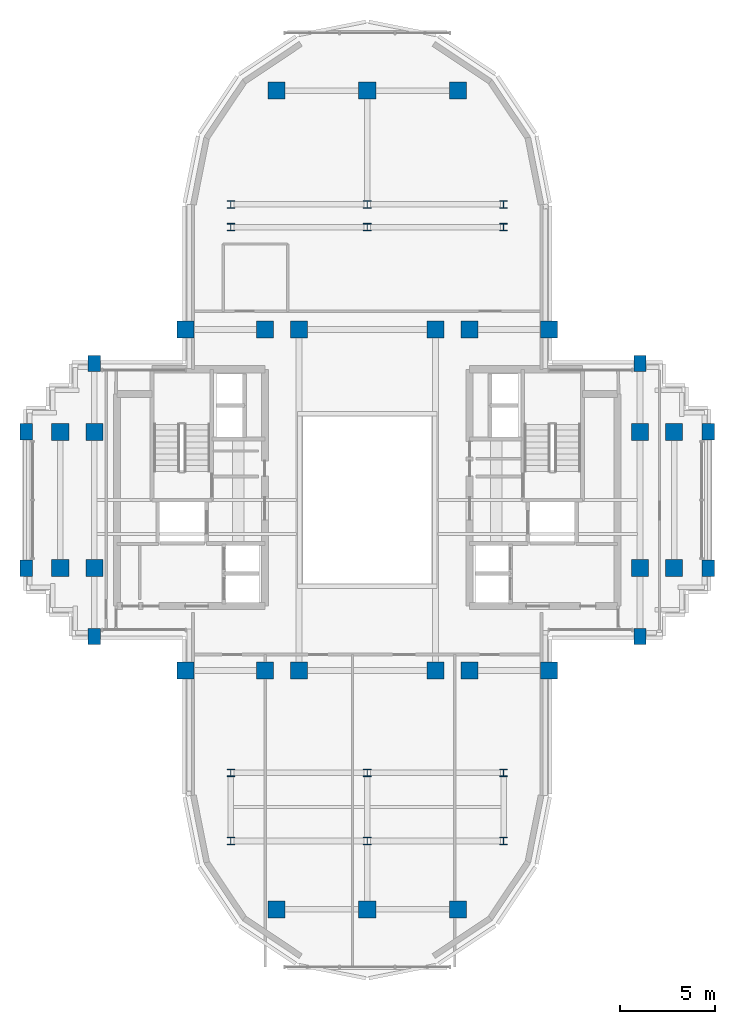
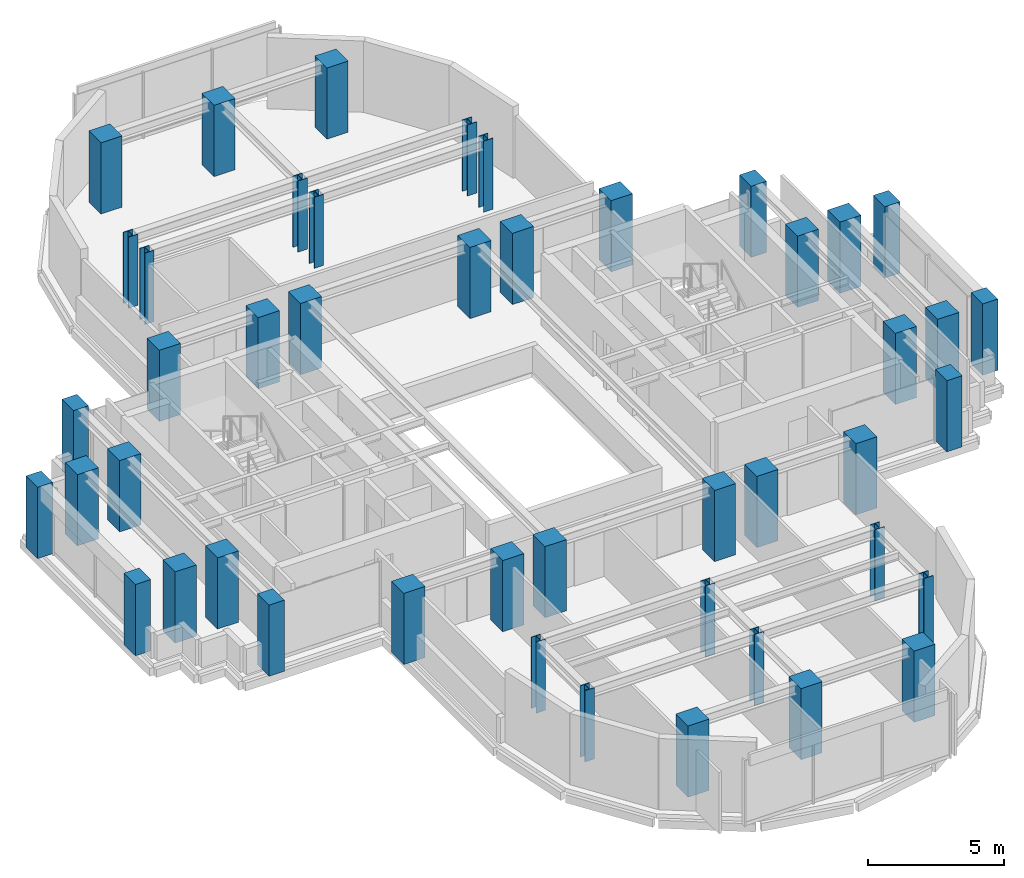
# One storey, part 1 of 11: 46 columns.
"""IFC4 building model written with IfcOpenShell, lengths in metres."""

from ifc_helpers import new_model, si_unit, direction, frame, origin, origin_2d, place, context, subcontext, project, spatial, rectangle, i_section, extrude, source, transform, mapped, material, material_profile, profile_set, type_object, element, save


model = new_model("IFC4")

# Units and contexts
model_context = context("Model", 3, precision=1e-05, world=origin(), true_north=direction((0.0, 1.0)))
body_context = subcontext(model_context, "Body", "Model", "MODEL_VIEW")
ifc_project = project(units=[si_unit("LENGTHUNIT", "METRE"), si_unit("AREAUNIT", "SQUARE_METRE"), si_unit("VOLUMEUNIT", "CUBIC_METRE"), si_unit("PLANEANGLEUNIT", "RADIAN"), si_unit("MASSUNIT", "GRAM", prefix="KILO")], contexts=[model_context])

# Site, building, storey
site_placement = place(None, origin())
site = spatial("IfcSite", under=ifc_project, at=site_placement, CompositionType="ELEMENT")
building_placement = place(site_placement, origin())
building = spatial("IfcBuilding", under=site, at=building_placement, Name="Keilestroom Media Tower", CompositionType="ELEMENT")
storey_placement = place(building_placement, frame((0.0, 0.0, 167.199951171875)))
storey = spatial("IfcBuildingStorey", under=building, at=storey_placement, Name="L45", CompositionType="ELEMENT", Elevation=167.199951171875)

# Columns
ifc_material_1 = material(Name="Precast concrete C40/50", Category="concrete")
ifc_material_profile_1 = material_profile(ifc_material_1, rectangle(XDim=0.64990234375, YDim=0.85009765625, at=origin_2d()), Name="PC 850x650")
ifc_profile_set_1 = profile_set([ifc_material_profile_1], Name="Precast concrete C40/50")
column_type_1 = type_object("IfcColumnType", Name="Structural-Column-PC-850x650", PredefinedType="COLUMN", material=ifc_profile_set_1)
shared_shape_1 = source(origin(), body_context, "Body", "SweptSolid", [
    extrude(rectangle(XDim=0.64990234375, YDim=0.85009765625, at=origin_2d()), origin(), (0.0, 0.0, 1.0), 3.199951171875),
])
for number, where, z_axis, x_axis, name in (
    (1, (-18.0, -3.60009765625, 0.0), (0.0, 0.0, 1.0), (1.0, 0.0, 0.0), "L45 Column PC-2 (-18.0,-3.6)"),
    (2, (-18.0, 3.60009765625, 0.0), (0.0, 0.0, 1.0), (1.0, 0.0, 0.0), "L45 Column PC-2 (-18.0,+3.6)"),
    (3, (-14.39990234375, -7.199951171875, 0.0), (0.0, 0.0, 1.0), (1.0, 0.0, 0.0), "L45 Column PC-2 (-14.4,-7.2)"),
    (4, (-14.39990234375, 7.199951171875, 0.0), (0.0, 0.0, 1.0), (1.0, 0.0, 0.0), "L45 Column PC-2 (-14.4,+7.2)"),
    (5, (14.39990234375, -7.199951171875, 0.0), (0.0, 0.0, 1.0), (1.0, 0.0, 0.0), "L45 Column PC-2 (+14.4,-7.2)"),
    (6, (14.39990234375, 7.199951171875, 0.0), (0.0, 0.0, 1.0), (1.0, 0.0, 0.0), "L45 Column PC-2 (+14.4,+7.2)"),
    (7, (18.0, -3.60009765625, 0.0), (0.0, 0.0, 1.0), (1.0, 0.0, 0.0), "L45 Column PC-2 (+18.0,-3.6)"),
    (8, (18.0, 3.60009765625, 0.0), (0.0, 0.0, 1.0), (1.0, 0.0, 0.0), "L45 Column PC-2 (+18.0,+3.6)"),
):
    element("IfcColumn", number, at=place(storey_placement, frame(where, z_axis=z_axis, x_axis=x_axis)), inside=storey, type_object=column_type_1, Name=name, PredefinedType="COLUMN", context=body_context, shape_type="MappedRepresentation", body=[
        mapped(shared_shape_1, transform((0.0, 0.0, 0.0), x_axis=(1.0, 0.0, 0.0), y_axis=(0.0, 1.0, 0.0), z_axis=(0.0, 0.0, 1.0), scale=1.0)),
    ])
ifc_material_2 = material(Name="Concrete C55/67", Category="concrete")
ifc_material_profile_2 = material_profile(ifc_material_2, rectangle(XDim=0.89990234375, YDim=0.89990234375, at=origin_2d()), Name="RC 900x900")
ifc_profile_set_2 = profile_set([ifc_material_profile_2], Name="Concrete C55/67")
column_type_2 = type_object("IfcColumnType", Name="Structural-Column-RC-900x900", PredefinedType="COLUMN", material=ifc_profile_set_2)
shared_shape_2 = source(origin(), body_context, "Body", "SweptSolid", [
    extrude(rectangle(XDim=0.89990234375, YDim=0.89990234375, at=origin_2d()), origin(), (0.0, 0.0, 1.0), 3.199951171875),
])
for number, where, z_axis, x_axis, name in (
    (9, (-16.199951171875, -3.60009765625, 0.0), (0.0, 0.0, 1.0), (1.0, 0.0, 0.0), "L45 Column MC-4 (-16.2,-3.6)"),
    (10, (-16.199951171875, 3.60009765625, 0.0), (0.0, 0.0, 1.0), (1.0, 0.0, 0.0), "L45 Column MC-4 (-16.2,+3.6)"),
    (11, (-14.39990234375, -3.60009765625, 0.0), (0.0, 0.0, 1.0), (1.0, 0.0, 0.0), "L45 Column MC-4 (-14.4,-3.6)"),
    (12, (-14.39990234375, 3.60009765625, 0.0), (0.0, 0.0, 1.0), (1.0, 0.0, 0.0), "L45 Column MC-4 (-14.4,+3.6)"),
    (13, (-9.60009765625, -9.0, 0.0), (0.0, 0.0, 1.0), (1.0, 0.0, 0.0), "L45 Column MC-4 (-9.6,-9.0)"),
    (14, (-9.60009765625, 9.0, 0.0), (0.0, 0.0, 1.0), (1.0, 0.0, 0.0), "L45 Column MC-4 (-9.6,+9.0)"),
    (15, (-5.39990234375, -9.0, 0.0), (0.0, 0.0, 1.0), (1.0, 0.0, 0.0), "L45 Column MC-4 (-5.4,-9.0)"),
    (16, (-5.39990234375, 9.0, 0.0), (0.0, 0.0, 1.0), (1.0, 0.0, 0.0), "L45 Column MC-4 (-5.4,+9.0)"),
    (17, (-4.800048828125, -21.60009765625, 0.0), (0.0, 0.0, 1.0), (1.0, 0.0, 0.0), "L45 Column MC-4 (-4.8,-21.6)"),
    (18, (-4.800048828125, 21.60009765625, 0.0), (0.0, 0.0, 1.0), (1.0, 0.0, 0.0), "L45 Column MC-4 (-4.8,+21.6)"),
    (19, (-3.60009765625, -9.0, 0.0), (0.0, 0.0, 1.0), (1.0, 0.0, 0.0), "L45 Column MC-4 (-3.6,-9.0)"),
    (20, (-3.60009765625, 9.0, 0.0), (0.0, 0.0, 1.0), (1.0, 0.0, 0.0), "L45 Column MC-4 (-3.6,+9.0)"),
    (21, (0.0, -21.60009765625, 0.0), (0.0, 0.0, 1.0), (1.0, 0.0, 0.0), "L45 Column MC-4 (+0.0,-21.6)"),
    (22, (0.0, 21.60009765625, 0.0), (0.0, 0.0, 1.0), (1.0, 0.0, 0.0), "L45 Column MC-4 (+0.0,+21.6)"),
    (23, (3.60009765625, -9.0, 0.0), (0.0, 0.0, 1.0), (1.0, 0.0, 0.0), "L45 Column MC-4 (+3.6,-9.0)"),
    (24, (3.60009765625, 9.0, 0.0), (0.0, 0.0, 1.0), (1.0, 0.0, 0.0), "L45 Column MC-4 (+3.6,+9.0)"),
    (25, (4.800048828125, -21.60009765625, 0.0), (0.0, 0.0, 1.0), (1.0, 0.0, 0.0), "L45 Column MC-4 (+4.8,-21.6)"),
    (26, (4.800048828125, 21.60009765625, 0.0), (0.0, 0.0, 1.0), (1.0, 0.0, 0.0), "L45 Column MC-4 (+4.8,+21.6)"),
    (27, (5.39990234375, -9.0, 0.0), (0.0, 0.0, 1.0), (1.0, 0.0, 0.0), "L45 Column MC-4 (+5.4,-9.0)"),
    (28, (5.39990234375, 9.0, 0.0), (0.0, 0.0, 1.0), (1.0, 0.0, 0.0), "L45 Column MC-4 (+5.4,+9.0)"),
    (29, (9.60009765625, -9.0, 0.0), (0.0, 0.0, 1.0), (1.0, 0.0, 0.0), "L45 Column MC-4 (+9.6,-9.0)"),
    (30, (9.60009765625, 9.0, 0.0), (0.0, 0.0, 1.0), (1.0, 0.0, 0.0), "L45 Column MC-4 (+9.6,+9.0)"),
    (31, (14.39990234375, -3.60009765625, 0.0), (0.0, 0.0, 1.0), (1.0, 0.0, 0.0), "L45 Column MC-4 (+14.4,-3.6)"),
    (32, (14.39990234375, 3.60009765625, 0.0), (0.0, 0.0, 1.0), (1.0, 0.0, 0.0), "L45 Column MC-4 (+14.4,+3.6)"),
    (33, (16.199951171875, -3.60009765625, 0.0), (0.0, 0.0, 1.0), (1.0, 0.0, 0.0), "L45 Column MC-4 (+16.2,-3.6)"),
    (34, (16.199951171875, 3.60009765625, 0.0), (0.0, 0.0, 1.0), (1.0, 0.0, 0.0), "L45 Column MC-4 (+16.2,+3.6)"),
):
    element("IfcColumn", number, at=place(storey_placement, frame(where, z_axis=z_axis, x_axis=x_axis)), inside=storey, type_object=column_type_2, Name=name, PredefinedType="COLUMN", context=body_context, shape_type="MappedRepresentation", body=[
        mapped(shared_shape_2, transform((0.0, 0.0, 0.0), x_axis=(1.0, 0.0, 0.0), y_axis=(0.0, 1.0, 0.0), z_axis=(0.0, 0.0, 1.0), scale=1.0)),
    ])
ifc_material_3 = material(Name="Steel S355", Category="steel")
ifc_material_profile_3 = material_profile(ifc_material_3, i_section(OverallWidth=0.39794921875, OverallDepth=0.386962890625, WebThickness=0.017578125, FlangeThickness=0.028076171875, at=origin_2d()), Name="HD 400x262")
ifc_profile_set_3 = profile_set([ifc_material_profile_3], Name="Steel S355")
column_type_3 = type_object("IfcColumnType", Name="Structural-Column-HD-400x262", PredefinedType="COLUMN", material=ifc_profile_set_3)
shared_shape_3 = source(origin(), body_context, "Body", "SweptSolid", [
    extrude(i_section(OverallWidth=0.39794921875, OverallDepth=0.386962890625, WebThickness=0.017578125, FlangeThickness=0.028076171875, at=origin_2d()), origin(), (0.0, 0.0, 1.0), 3.199951171875),
])
for number, where, z_axis, x_axis, name in (
    (35, (-7.199951171875, -18.0, 0.0), (0.0, 0.0, 1.0), (1.0, 0.0, 0.0), "L45 Column SC-4 (-7.2,-18.0)"),
    (36, (-7.199951171875, -14.39990234375, 0.0), (0.0, 0.0, 1.0), (1.0, 0.0, 0.0), "L45 Column SC-4 (-7.2,-14.4)"),
    (37, (-7.199951171875, 14.39990234375, 0.0), (0.0, 0.0, 1.0), (1.0, 0.0, 0.0), "L45 Column SC-4 (-7.2,+14.4)"),
    (38, (-7.199951171875, 15.60009765625, 0.0), (0.0, 0.0, 1.0), (1.0, 0.0, 0.0), "L45 Column SC-4 (-7.2,+15.6)"),
    (39, (0.0, -18.0, 0.0), (0.0, 0.0, 1.0), (1.0, 0.0, 0.0), "L45 Column SC-4 (+0.0,-18.0)"),
    (40, (0.0, -14.39990234375, 0.0), (0.0, 0.0, 1.0), (1.0, 0.0, 0.0), "L45 Column SC-4 (+0.0,-14.4)"),
    (41, (0.0, 14.39990234375, 0.0), (0.0, 0.0, 1.0), (1.0, 0.0, 0.0), "L45 Column SC-4 (+0.0,+14.4)"),
    (42, (0.0, 15.60009765625, 0.0), (0.0, 0.0, 1.0), (1.0, 0.0, 0.0), "L45 Column SC-4 (+0.0,+15.6)"),
    (43, (7.199951171875, -18.0, 0.0), (0.0, 0.0, 1.0), (1.0, 0.0, 0.0), "L45 Column SC-4 (+7.2,-18.0)"),
    (44, (7.199951171875, -14.39990234375, 0.0), (0.0, 0.0, 1.0), (1.0, 0.0, 0.0), "L45 Column SC-4 (+7.2,-14.4)"),
    (45, (7.199951171875, 14.39990234375, 0.0), (0.0, 0.0, 1.0), (1.0, 0.0, 0.0), "L45 Column SC-4 (+7.2,+14.4)"),
    (46, (7.199951171875, 15.60009765625, 0.0), (0.0, 0.0, 1.0), (1.0, 0.0, 0.0), "L45 Column SC-4 (+7.2,+15.6)"),
):
    element("IfcColumn", number, at=place(storey_placement, frame(where, z_axis=z_axis, x_axis=x_axis)), inside=storey, type_object=column_type_3, Name=name, PredefinedType="COLUMN", context=body_context, shape_type="MappedRepresentation", body=[
        mapped(shared_shape_3, transform((0.0, 0.0, 0.0), x_axis=(1.0, 0.0, 0.0), y_axis=(0.0, 1.0, 0.0), z_axis=(0.0, 0.0, 1.0), scale=1.0)),
    ])

save(model, "model.ifc")
